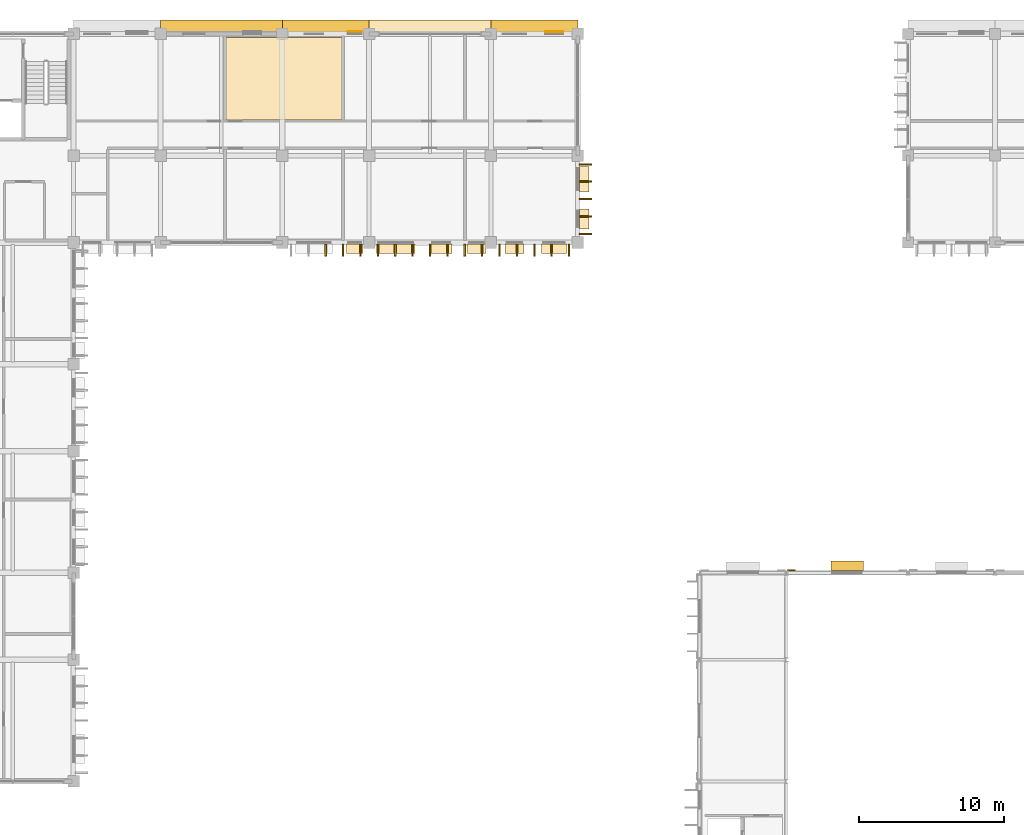
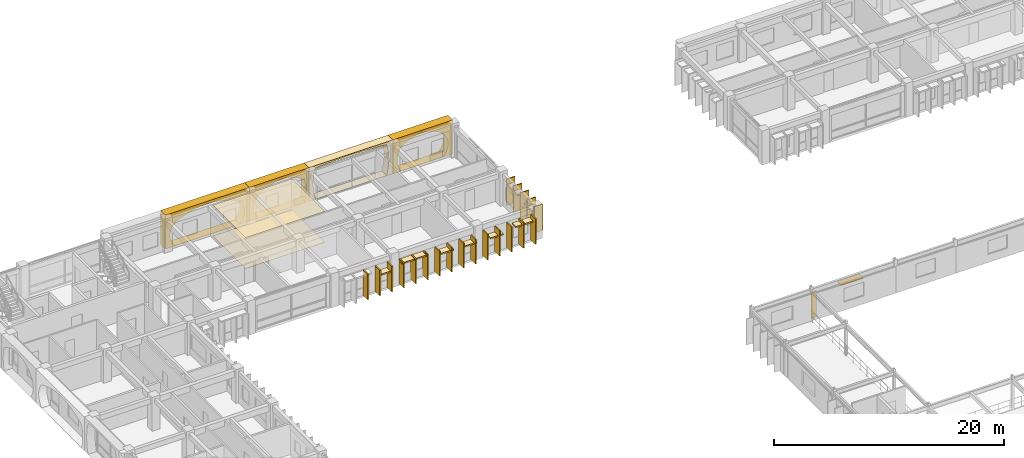
# One storey, part 80 of 88: 37 coverings, 1 shading device.
"""IFC4 building model written with IfcOpenShell, lengths in metres."""

from ifc_helpers import new_model, si_unit, direction, frame, origin, origin_2d, place, context, subcontext, project, spatial, polyline, rectangle, outline, extrude, material, layer, layer_set, type_object, element, save


model = new_model("IFC4")

# Units and contexts
model_context = context("Model", 3, precision=1e-05, world=origin(), true_north=direction((0.0, 1.0)))
body_context = subcontext(model_context, "Body", "Model", "MODEL_VIEW")
ifc_project = project(units=[si_unit("LENGTHUNIT", "METRE"), si_unit("AREAUNIT", "SQUARE_METRE"), si_unit("VOLUMEUNIT", "CUBIC_METRE"), si_unit("PLANEANGLEUNIT", "RADIAN"), si_unit("MASSUNIT", "GRAM", prefix="KILO"), si_unit("THERMODYNAMICTEMPERATUREUNIT", "KELVIN")], contexts=[model_context])

# Site, building, storey
site_placement = place(None, origin())
site = spatial("IfcSite", under=ifc_project, at=site_placement, CompositionType="ELEMENT")
building_placement = place(site_placement, origin())
building = spatial("IfcBuilding", under=site, at=building_placement, Name="Thalorik Housing Commons", CompositionType="ELEMENT")
storey_placement = place(building_placement, frame((0.0, 0.0, 4.5)))
storey = spatial("IfcBuildingStorey", under=building, at=storey_placement, Name="L01", CompositionType="ELEMENT", Elevation=4.5)

# Coverings
ifc_material_1 = material(Name="Precast concrete C40/50", Category="concrete")
ifc_layer_1 = layer(ifc_material_1, 0.85009765625, Name="Precast concrete C40/50", Category="concrete")
ifc_layer_set_1 = layer_set([ifc_layer_1], Name="Precast concrete C40/50")
covering_type_1 = type_object("IfcCoveringType", Name="ARC-CLD-CUSH-850", PredefinedType="CLADDING", material=ifc_layer_set_1)
covering_1_placement = place(storey_placement, frame((54.60009765625, 124.137451171875, 0.0), z_axis=(0.0, 0.0, 1.0), x_axis=(-1.0, 0.0, 0.0)))
element("IfcCovering", 1, at=covering_1_placement, inside=storey, type_object=covering_type_1, Name="L01 White Precast Curved Cushion Bay Frame 59", PredefinedType="CLADDING", context=body_context, shape_type="SweptSolid", body=[
    extrude(outline(polyline([(-3.0, 0.0), (3.0, 0.0), (3.0, 3.60009765625), (-3.0, 3.60009765625), (-3.0, 0.0)]), holes=[polyline([(2.22998046875, 0.02490234375), (2.40771484375, 0.4375), (2.514404296875, 0.85009765625), (2.550048828125, 1.262451171875), (2.514404296875, 1.675048828125), (2.40771484375, 2.08740234375), (2.22998046875, 2.5), (1.873779296875, 2.755615234375), (1.517578125, 2.956298828125), (1.1611328125, 3.119140625), (0.804931640625, 3.239990234375), (0.44873046875, 3.314697265625), (0.092529296875, 3.340087890625), (-0.263916015625, 3.314697265625), (-0.6201171875, 3.239990234375), (-0.976318359375, 3.119140625), (-1.33251953125, 2.956298828125), (-1.688720703125, 2.755615234375), (-2.044921875, 2.5), (-2.32568359375, 2.08740234375), (-2.493896484375, 1.675048828125), (-2.550048828125, 1.262451171875), (-2.493896484375, 0.85009765625), (-2.32568359375, 0.4375), (-2.044921875, 0.02490234375), (2.22998046875, 0.02490234375)])]), frame((0.0, 0.425048828125, 0.0), z_axis=(0.0, -1.0, 0.0), x_axis=(1.0, 0.0, 0.0)), (0.0, 0.0, 1.0), 0.85009765625),
])
covering_2_placement = place(storey_placement, frame((47.39990234375, 124.137451171875, 0.0), z_axis=(0.0, 0.0, 1.0), x_axis=(-1.0, 0.0, 0.0)))
element("IfcCovering", 2, at=covering_2_placement, inside=storey, type_object=covering_type_1, Name="L01 White Precast Curved Cushion Bay Frame 61", PredefinedType="CLADDING", context=body_context, shape_type="SweptSolid", body=[
    extrude(outline(polyline([(-4.199951171875, 0.0), (4.199951171875, 0.0), (4.199951171875, 3.60009765625), (-4.199951171875, 3.60009765625), (-4.199951171875, 0.0)]), holes=[polyline([(3.550048828125, 0.02490234375), (3.687255859375, 0.57421875), (3.76953125, 1.123291015625), (3.797119140625, 1.672607421875), (3.76953125, 2.2216796875), (3.687255859375, 2.770751953125), (3.550048828125, 3.320068359375), (2.958251953125, 3.362548828125), (2.36669921875, 3.39599609375), (1.77490234375, 3.423095703125), (1.183349609375, 3.443359375), (0.591796875, 3.455810546875), (0.0, 3.4599609375), (-0.591796875, 3.455810546875), (-1.183349609375, 3.443359375), (-1.77490234375, 3.423095703125), (-2.36669921875, 3.39599609375), (-2.958251953125, 3.362548828125), (-3.550048828125, 3.320068359375), (-3.687255859375, 2.770751953125), (-3.76953125, 2.2216796875), (-3.797119140625, 1.672607421875), (-3.76953125, 1.123291015625), (-3.687255859375, 0.57421875), (-3.550048828125, 0.02490234375), (3.550048828125, 0.02490234375)])]), frame((0.0, 0.425048828125, 0.0), z_axis=(0.0, -1.0, 0.0), x_axis=(1.0, 0.0, 0.0)), (0.0, 0.0, 1.0), 0.85009765625),
])
covering_3_placement = place(storey_placement, frame((40.199951171875, 124.137451171875, 0.0), z_axis=(0.0, 0.0, 1.0), x_axis=(-1.0, 0.0, 0.0)))
element("IfcCovering", 3, at=covering_3_placement, inside=storey, type_object=covering_type_1, Name="L01 White Precast Curved Cushion Bay Frame 62", PredefinedType="CLADDING", context=body_context, shape_type="SweptSolid", body=[
    extrude(outline(polyline([(-3.0, 0.0), (3.0, 0.0), (3.0, 3.60009765625), (-3.0, 3.60009765625), (-3.0, 0.0)]), holes=[polyline([(2.0400390625, 0.02490234375), (2.3232421875, 0.4375), (2.493408203125, 0.85009765625), (2.550048828125, 1.262451171875), (2.493408203125, 1.675048828125), (2.3232421875, 2.08740234375), (2.0400390625, 2.5), (1.65966796875, 2.755615234375), (1.279296875, 2.956298828125), (0.898681640625, 3.119140625), (0.518310546875, 3.239990234375), (0.137939453125, 3.314697265625), (-0.242431640625, 3.340087890625), (-0.622802734375, 3.314697265625), (-1.00341796875, 3.239990234375), (-1.3837890625, 3.119140625), (-1.76416015625, 2.956298828125), (-2.14453125, 2.755615234375), (-2.52490234375, 2.5), (-2.625244140625, 2.08740234375), (-2.685302734375, 1.675048828125), (-2.70556640625, 1.262451171875), (-2.685302734375, 0.85009765625), (-2.625244140625, 0.4375), (-2.52490234375, 0.02490234375), (2.0400390625, 0.02490234375)])]), frame((0.0, 0.425048828125, 0.0), z_axis=(0.0, -1.0, 0.0), x_axis=(1.0, 0.0, 0.0)), (0.0, 0.0, 1.0), 0.85009765625),
])
covering_4_placement = place(storey_placement, frame((33.0, 124.137451171875, 0.0), z_axis=(0.0, 0.0, 1.0), x_axis=(-1.0, 0.0, 0.0)))
element("IfcCovering", 4, at=covering_4_placement, inside=storey, type_object=covering_type_1, Name="L01 White Precast Curved Cushion Bay Frame 64", PredefinedType="CLADDING", context=body_context, shape_type="SweptSolid", body=[
    extrude(outline(polyline([(-4.199951171875, 0.0), (4.199951171875, 0.0), (4.199951171875, 3.60009765625), (-4.199951171875, 3.60009765625), (-4.199951171875, 0.0)]), holes=[polyline([(3.239990234375, 0.02490234375), (3.523193359375, 0.4375), (3.693359375, 0.85009765625), (3.75, 1.262451171875), (3.693359375, 1.675048828125), (3.523193359375, 2.08740234375), (3.239990234375, 2.5), (2.699951171875, 2.755615234375), (2.159912109375, 2.956298828125), (1.6201171875, 3.119140625), (1.080078125, 3.239990234375), (0.5400390625, 3.314697265625), (0.0, 3.340087890625), (-0.5400390625, 3.314697265625), (-1.080078125, 3.239990234375), (-1.6201171875, 3.119140625), (-2.159912109375, 2.956298828125), (-2.699951171875, 2.755615234375), (-3.239990234375, 2.5), (-3.523193359375, 2.08740234375), (-3.693359375, 1.675048828125), (-3.75, 1.262451171875), (-3.693359375, 0.85009765625), (-3.523193359375, 0.4375), (-3.239990234375, 0.02490234375), (3.239990234375, 0.02490234375)])]), frame((0.0, 0.425048828125, 0.0), z_axis=(0.0, -1.0, 0.0), x_axis=(1.0, 0.0, 0.0)), (0.0, 0.0, 1.0), 0.85009765625),
])
ifc_layer_2 = layer(ifc_material_1, 0.85009765625, Name="Precast concrete C40/50", Category="concrete")
ifc_layer_set_2 = layer_set([ifc_layer_2], Name="Precast concrete C40/50")
covering_type_2 = type_object("IfcCoveringType", Name="ARC-CLD-FIN-850", PredefinedType="CLADDING", material=ifc_layer_set_2)
for number, where, z_axis, x_axis, name in (
    (5, (40.199951171875, 108.66259765625, 0.0400390625), (0.0, 0.0, 1.0), (1.0, 0.0, 0.0), "L01 Courtyard Precast Vertical Brise-Soleil Fin 30"),
    (6, (41.39990234375, 108.66259765625, 0.0400390625), (0.0, 0.0, 1.0), (1.0, 0.0, 0.0), "L01 Courtyard Precast Vertical Brise-Soleil Fin 31"),
    (7, (42.60009765625, 108.66259765625, 0.0400390625), (0.0, 0.0, 1.0), (1.0, 0.0, 0.0), "L01 Courtyard Precast Vertical Brise-Soleil Fin 32"),
):
    element("IfcCovering", number, at=place(storey_placement, frame(where, z_axis=z_axis, x_axis=x_axis)), inside=storey, type_object=covering_type_2, Name=name, PredefinedType="CLADDING", context=body_context, shape_type="SweptSolid", body=[
        extrude(rectangle(XDim=0.110107421875, YDim=0.85009765625, at=origin_2d()), origin(), (0.0, 0.0, 1.0), 2.695068359375),
    ])
for number, where, z_axis, x_axis, name in (
    (8, (43.800048828125, 108.66259765625, 0.0400390625), (0.0, 0.0, 1.0), (1.0, 0.0, 0.0), "L01 Courtyard Precast Vertical Brise-Soleil Fin 35"),
    (9, (45.0, 108.66259765625, 0.0400390625), (0.0, 0.0, 1.0), (1.0, 0.0, 0.0), "L01 Courtyard Precast Vertical Brise-Soleil Fin 36"),
    (10, (46.199951171875, 108.66259765625, 0.0400390625), (0.0, 0.0, 1.0), (1.0, 0.0, 0.0), "L01 Courtyard Precast Vertical Brise-Soleil Fin 37"),
    (11, (47.39990234375, 108.66259765625, 0.0400390625), (0.0, 0.0, 1.0), (1.0, 0.0, 0.0), "L01 Courtyard Precast Vertical Brise-Soleil Fin 38"),
    (12, (48.60009765625, 108.66259765625, 0.0400390625), (0.0, 0.0, 1.0), (1.0, 0.0, 0.0), "L01 Courtyard Precast Vertical Brise-Soleil Fin 39"),
    (13, (49.800048828125, 108.66259765625, 0.0400390625), (0.0, 0.0, 1.0), (1.0, 0.0, 0.0), "L01 Courtyard Precast Vertical Brise-Soleil Fin 40"),
    (14, (51.0, 108.66259765625, 0.0400390625), (0.0, 0.0, 1.0), (1.0, 0.0, 0.0), "L01 Courtyard Precast Vertical Brise-Soleil Fin 41"),
):
    element("IfcCovering", number, at=place(storey_placement, frame(where, z_axis=z_axis, x_axis=x_axis)), inside=storey, type_object=covering_type_2, Name=name, PredefinedType="CLADDING", context=body_context, shape_type="SweptSolid", body=[
        extrude(rectangle(XDim=0.110107421875, YDim=0.85009765625, at=origin_2d()), origin(), (0.0, 0.0, 1.0), 2.594970703125),
    ])
for number, where, z_axis, x_axis, name in (
    (15, (52.199951171875, 108.66259765625, 0.0400390625), (0.0, 0.0, 1.0), (1.0, 0.0, 0.0), "L01 Courtyard Precast Vertical Brise-Soleil Fin 45"),
    (16, (53.39990234375, 108.66259765625, 0.0400390625), (0.0, 0.0, 1.0), (1.0, 0.0, 0.0), "L01 Courtyard Precast Vertical Brise-Soleil Fin 46"),
    (17, (54.60009765625, 108.66259765625, 0.0400390625), (0.0, 0.0, 1.0), (1.0, 0.0, 0.0), "L01 Courtyard Precast Vertical Brise-Soleil Fin 47"),
    (18, (55.800048828125, 108.66259765625, 0.0400390625), (0.0, 0.0, 1.0), (1.0, 0.0, 0.0), "L01 Courtyard Precast Vertical Brise-Soleil Fin 48"),
    (19, (57.0, 108.66259765625, 0.0400390625), (0.0, 0.0, 1.0), (1.0, 0.0, 0.0), "L01 Courtyard Precast Vertical Brise-Soleil Fin 49"),
):
    element("IfcCovering", number, at=place(storey_placement, frame(where, z_axis=z_axis, x_axis=x_axis)), inside=storey, type_object=covering_type_2, Name=name, PredefinedType="CLADDING", context=body_context, shape_type="SweptSolid", body=[
        extrude(rectangle(XDim=0.110107421875, YDim=0.85009765625, at=origin_2d()), origin(), (0.0, 0.0, 1.0), 2.695068359375),
    ])
for number, where, z_axis, x_axis, name in (
    (20, (58.137451171875, 109.800048828125, 0.0400390625), (0.0, 0.0, 1.0), (0.0, 1.0, 0.0), "L01 Courtyard Precast Vertical Brise-Soleil Fin 52"),
    (21, (58.137451171875, 111.0, 0.0400390625), (0.0, 0.0, 1.0), (0.0, 1.0, 0.0), "L01 Courtyard Precast Vertical Brise-Soleil Fin 53"),
    (22, (58.137451171875, 112.199951171875, 0.0400390625), (0.0, 0.0, 1.0), (0.0, 1.0, 0.0), "L01 Courtyard Precast Vertical Brise-Soleil Fin 54"),
    (23, (58.137451171875, 113.39990234375, 0.0400390625), (0.0, 0.0, 1.0), (0.0, 1.0, 0.0), "L01 Courtyard Precast Vertical Brise-Soleil Fin 55"),
    (24, (58.137451171875, 114.60009765625, 0.0400390625), (0.0, 0.0, 1.0), (0.0, 1.0, 0.0), "L01 Courtyard Precast Vertical Brise-Soleil Fin 56"),
):
    element("IfcCovering", number, at=place(storey_placement, frame(where, z_axis=z_axis, x_axis=x_axis)), inside=storey, type_object=covering_type_2, Name=name, PredefinedType="CLADDING", context=body_context, shape_type="SweptSolid", body=[
        extrude(rectangle(XDim=0.110107421875, YDim=0.85009765625, at=origin_2d()), origin(), (0.0, 0.0, 1.0), 2.794921875),
    ])
ifc_layer_3 = layer(ifc_material_1, 0.64990234375, Name="Precast concrete C40/50", Category="concrete")
ifc_layer_set_3 = layer_set([ifc_layer_3], Name="Precast concrete C40/50")
covering_type_3 = type_object("IfcCoveringType", Name="ARC-CLD-HOOD-650", PredefinedType="CLADDING", material=ifc_layer_set_3)
covering_5_placement = place(storey_placement, frame((42.199951171875, 108.762451171875, 1.990234375), z_axis=(0.0, 0.0, 1.0), x_axis=(1.0, 0.0, 0.0)))
element("IfcCovering", 25, at=covering_5_placement, inside=storey, type_object=covering_type_3, Name="L01 Courtyard Precast Window Sun-Hood 34", PredefinedType="CLADDING", context=body_context, shape_type="SweptSolid", body=[
    extrude(rectangle(XDim=1.139892578125, YDim=0.64990234375, at=origin_2d()), origin(), (0.0, 0.0, 1.0), 0.139892578125),
])
covering_6_placement = place(storey_placement, frame((45.030029296875, 108.762451171875, 2.43994140625), z_axis=(0.0, 0.0, 1.0), x_axis=(1.0, 0.0, 0.0)))
element("IfcCovering", 26, at=covering_6_placement, inside=storey, type_object=covering_type_3, Name="L01 Courtyard Precast Window Sun-Hood 42", PredefinedType="CLADDING", context=body_context, shape_type="SweptSolid", body=[
    extrude(rectangle(XDim=2.639892578125, YDim=0.64990234375, at=origin_2d()), origin(), (0.0, 0.0, 1.0), 0.139892578125),
])
covering_7_placement = place(storey_placement, frame((48.169921875, 108.762451171875, 2.08984375), z_axis=(0.0, 0.0, 1.0), x_axis=(1.0, 0.0, 0.0)))
element("IfcCovering", 27, at=covering_7_placement, inside=storey, type_object=covering_type_3, Name="L01 Courtyard Precast Window Sun-Hood 43", PredefinedType="CLADDING", context=body_context, shape_type="SweptSolid", body=[
    extrude(rectangle(XDim=1.489990234375, YDim=0.64990234375, at=origin_2d()), origin(), (0.0, 0.0, 1.0), 0.139892578125),
])
covering_8_placement = place(storey_placement, frame((50.610107421875, 108.762451171875, 2.0400390625), z_axis=(0.0, 0.0, 1.0), x_axis=(1.0, 0.0, 0.0)))
element("IfcCovering", 28, at=covering_8_placement, inside=storey, type_object=covering_type_3, Name="L01 Courtyard Precast Window Sun-Hood 44", PredefinedType="CLADDING", context=body_context, shape_type="SweptSolid", body=[
    extrude(rectangle(XDim=1.239990234375, YDim=0.64990234375, at=origin_2d()), origin(), (0.0, 0.0, 1.0), 0.139892578125),
])
covering_9_placement = place(storey_placement, frame((53.22998046875, 108.762451171875, 1.990234375), z_axis=(0.0, 0.0, 1.0), x_axis=(1.0, 0.0, 0.0)))
element("IfcCovering", 29, at=covering_9_placement, inside=storey, type_object=covering_type_3, Name="L01 Courtyard Precast Window Sun-Hood 50", PredefinedType="CLADDING", context=body_context, shape_type="SweptSolid", body=[
    extrude(rectangle(XDim=1.2900390625, YDim=0.64990234375, at=origin_2d()), origin(), (0.0, 0.0, 1.0), 0.139892578125),
])
covering_10_placement = place(storey_placement, frame((55.969970703125, 108.762451171875, 2.31005859375), z_axis=(0.0, 0.0, 1.0), x_axis=(1.0, 0.0, 0.0)))
element("IfcCovering", 30, at=covering_10_placement, inside=storey, type_object=covering_type_3, Name="L01 Courtyard Precast Window Sun-Hood 51", PredefinedType="CLADDING", context=body_context, shape_type="SweptSolid", body=[
    extrude(rectangle(XDim=1.719970703125, YDim=0.64990234375, at=origin_2d()), origin(), (0.0, 0.0, 1.0), 0.139892578125),
])
covering_11_placement = place(storey_placement, frame((58.03759765625, 110.830078125, 2.0400390625), z_axis=(0.0, 0.0, 1.0), x_axis=(0.0, 1.0, 0.0)))
element("IfcCovering", 31, at=covering_11_placement, inside=storey, type_object=covering_type_3, Name="L01 Courtyard Precast Window Sun-Hood 57", PredefinedType="CLADDING", context=body_context, shape_type="SweptSolid", body=[
    extrude(rectangle(XDim=1.389892578125, YDim=0.64990234375, at=origin_2d()), origin(), (0.0, 0.0, 1.0), 0.139892578125),
])
covering_12_placement = place(storey_placement, frame((58.03759765625, 113.570068359375, 2.2099609375), z_axis=(0.0, 0.0, 1.0), x_axis=(0.0, 1.0, 0.0)))
element("IfcCovering", 32, at=covering_12_placement, inside=storey, type_object=covering_type_3, Name="L01 Courtyard Precast Window Sun-Hood 58", PredefinedType="CLADDING", context=body_context, shape_type="SweptSolid", body=[
    extrude(rectangle(XDim=1.760009765625, YDim=0.64990234375, at=origin_2d()), origin(), (0.0, 0.0, 1.0), 0.139892578125),
])
ifc_material_2 = material(Name="Terracotta red mineral fibre-cement panel", Category="masonry")
ifc_layer_4 = layer(ifc_material_2, 0.054931640625, Name="Terracotta red mineral fibre-cement panel", Category="masonry")
ifc_layer_set_4 = layer_set([ifc_layer_4], Name="Terracotta red mineral fibre-cement panel")
covering_type_4 = type_object("IfcCoveringType", Name="ARC-CLD-RED-55", PredefinedType="CLADDING", material=ifc_layer_set_4)
covering_13_placement = place(storey_placement, frame((55.969970703125, 123.7451171875, 0.0498046875), z_axis=(0.0, 0.0, 1.0), x_axis=(-1.0, 0.0, 0.0)))
element("IfcCovering", 33, at=covering_13_placement, inside=storey, type_object=covering_type_4, Name="L01 De Stijl Recessed Window Spandrel 60", PredefinedType="CLADDING", context=body_context, shape_type="SweptSolid", body=[
    extrude(rectangle(XDim=1.25, YDim=0.054931640625, at=origin_2d()), origin(), (0.0, 0.0, 1.0), 0.699951171875),
])
covering_14_placement = place(storey_placement, frame((72.35009765625, 86.57958984375, 0.050048828125), z_axis=(0.0, 0.0, 1.0), x_axis=(-1.0, 0.0, 0.0)))
element("IfcCovering", 34, at=covering_14_placement, inside=storey, type_object=covering_type_4, Name="L01 Architectural Facade Cladding 5182", PredefinedType="CLADDING", context=body_context, shape_type="SweptSolid", body=[
    extrude(rectangle(XDim=0.550048828125, YDim=0.054931640625, at=origin_2d()), origin(), (0.0, 0.0, 1.0), 2.68603515625),
])
ifc_material_3 = material(Name="Mineral ochre architectural terracotta panel", Category="masonry")
ifc_layer_5 = layer(ifc_material_3, 0.06494140625, Name="Mineral ochre architectural terracotta panel", Category="masonry")
ifc_layer_set_5 = layer_set([ifc_layer_5], Name="Mineral ochre architectural terracotta panel")
covering_type_5 = type_object("IfcCoveringType", Name="ARC-CLD-YEL-65", PredefinedType="CLADDING", material=ifc_layer_set_5)
covering_15_placement = place(storey_placement, frame((42.199951171875, 123.75, 0.0498046875), z_axis=(0.0, 0.0, 1.0), x_axis=(-1.0, 0.0, 0.0)))
element("IfcCovering", 35, at=covering_15_placement, inside=storey, type_object=covering_type_5, Name="L01 De Stijl Recessed Window Spandrel 63", PredefinedType="CLADDING", context=body_context, shape_type="SweptSolid", body=[
    extrude(rectangle(XDim=0.949951171875, YDim=0.06494140625, at=origin_2d()), origin(), (0.0, 0.0, 1.0), 0.699951171875),
])
ifc_material_4 = material(Name="Moisture-resistant gypsum bathroom ceiling")
ifc_layer_6 = layer(ifc_material_4, 0.02490234375, Name="Moisture-resistant gypsum bathroom ceiling")
ifc_layer_set_6 = layer_set([ifc_layer_6], Name="Moisture-resistant gypsum bathroom ceiling")
covering_type_6 = type_object("IfcCoveringType", Name="ARC-COV-CEIL-04", PredefinedType="CEILING", material=ifc_layer_set_6)
covering_16_placement = place(storey_placement, frame((0.0, 0.0, 3.27490234375)))
element("IfcCovering", 36, at=covering_16_placement, inside=storey, type_object=covering_type_6, Name="L01 Ceramics and Print Workshop Suspended Ceiling", PredefinedType="CEILING", context=body_context, shape_type="SweptSolid", body=[
    extrude(outline(polyline([(41.31005859375, 117.659912109375), (41.31005859375, 123.360107421875), (33.330078125, 123.360107421875), (33.330078125, 117.659912109375), (41.31005859375, 117.659912109375)])), origin(), (0.0, 0.0, 1.0), 0.025146484375),
])
ifc_material_5 = material(Name="Sprung Brazilian oak assembly hall timber floor", Category="wood")
ifc_layer_7 = layer(ifc_material_5, 0.02392578125, Name="Sprung Brazilian oak assembly hall timber floor", Category="wood")
ifc_layer_set_7 = layer_set([ifc_layer_7], Name="Sprung Brazilian oak assembly hall timber floor")
covering_type_7 = type_object("IfcCoveringType", Name="ARC-COV-FLR-04", PredefinedType="FLOORING", material=ifc_layer_set_7)
covering_17_placement = place(storey_placement, origin())
element("IfcCovering", 37, at=covering_17_placement, inside=storey, type_object=covering_type_7, Name="L01 Ceramics and Print Workshop Flooring", PredefinedType="FLOORING", context=body_context, shape_type="SweptSolid", body=[
    extrude(outline(polyline([(41.31005859375, 117.659912109375), (41.31005859375, 123.360107421875), (33.330078125, 123.360107421875), (33.330078125, 117.659912109375), (41.31005859375, 117.659912109375)])), origin(), (0.0, 0.0, 1.0), 0.02392578125),
])

# Shading device
ifc_material_6 = material(Name="Mineral ochre aluminium sun-louvre", Category="aluminium")
shading_device_type = type_object("IfcShadingDeviceType", Name="ARC-LVR-OCH-650", PredefinedType="JALOUSIE", material=ifc_material_6)
shading_device_placement = place(storey_placement, frame((76.199951171875, 86.875, 2.43505859375), z_axis=(0.0, 0.0, 1.0), x_axis=(-1.0, 0.0, 0.0)))
element("IfcShadingDevice", 38, at=shading_device_placement, inside=storey, type_object=shading_device_type, Name="L01 Horizontal Sun-Louvre 68", PredefinedType="JALOUSIE", context=body_context, shape_type="SweptSolid", body=[
    extrude(rectangle(XDim=2.239990234375, YDim=0.64990234375, at=origin_2d()), origin(), (0.0, 0.0, 1.0), 0.090087890625),
])

save(model, "model.ifc")
